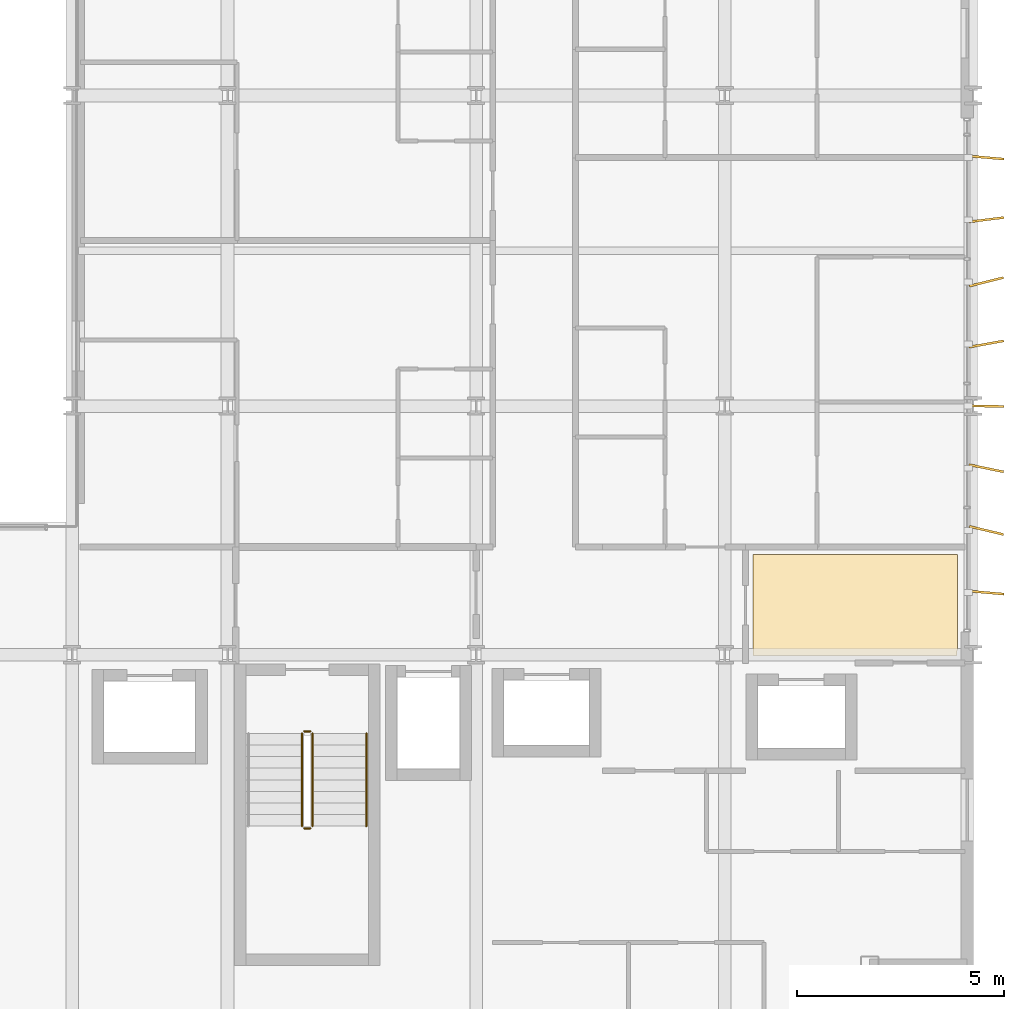
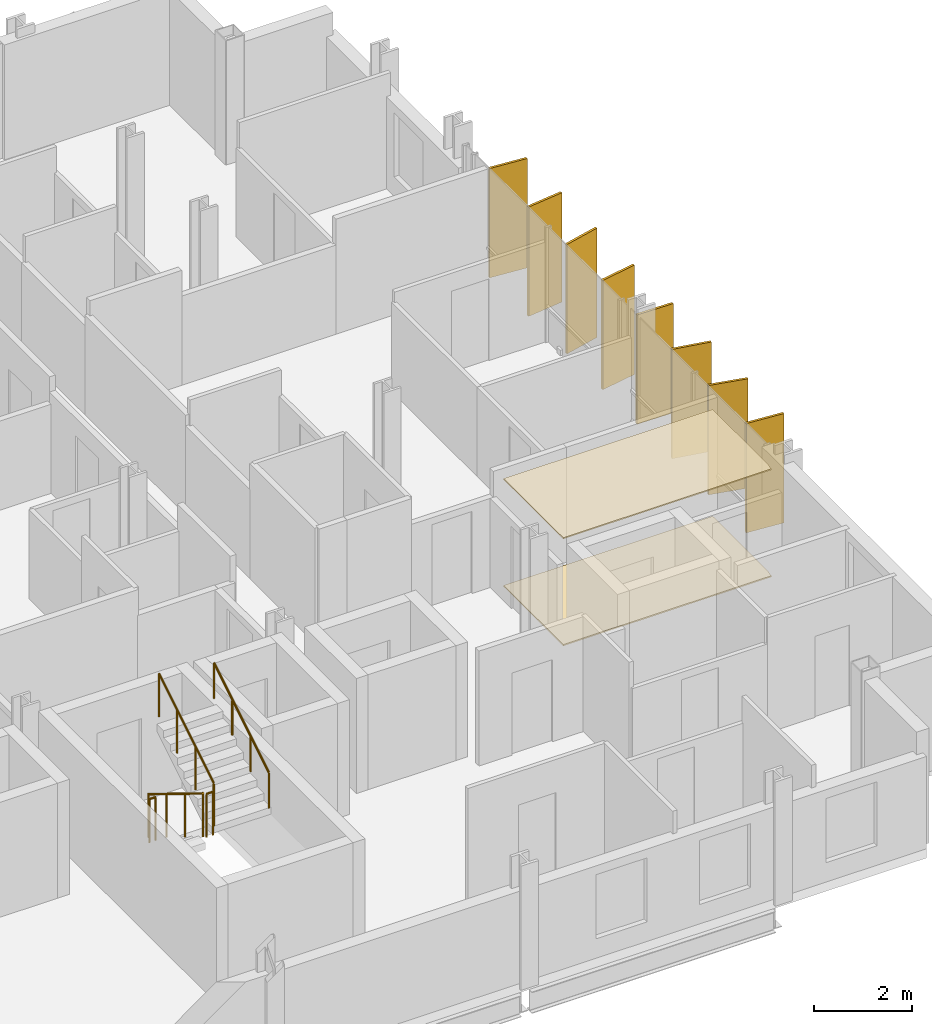
# One storey, part 37 of 38: 8 shading devices, 5 railings, 2 coverings.
"""IFC4 building model written with IfcOpenShell, lengths in metres."""

from ifc_helpers import new_model, si_unit, direction, frame, origin, origin_2d, place, context, subcontext, project, spatial, polyline, rectangle, circle, outline, extrude, material, layer, layer_set, type_object, element, save


model = new_model("IFC4")

# Units and contexts
model_context = context("Model", 3, precision=1e-05, world=origin(), true_north=direction((0.0, 1.0)))
body_context = subcontext(model_context, "Body", "Model", "MODEL_VIEW")
ifc_project = project(units=[si_unit("LENGTHUNIT", "METRE"), si_unit("AREAUNIT", "SQUARE_METRE"), si_unit("VOLUMEUNIT", "CUBIC_METRE"), si_unit("PLANEANGLEUNIT", "RADIAN"), si_unit("MASSUNIT", "GRAM", prefix="KILO")], contexts=[model_context])

# Site, building, storey
site_placement = place(None, origin())
site = spatial("IfcSite", under=ifc_project, at=site_placement, CompositionType="ELEMENT")
building_placement = place(site_placement, origin())
building = spatial("IfcBuilding", under=site, at=building_placement, Name="Brevholm Reach", CompositionType="ELEMENT")
storey_placement = place(building_placement, frame((0.0, 0.0, 65.199951171875)))
storey = spatial("IfcBuildingStorey", under=building, at=storey_placement, Name="L18", CompositionType="ELEMENT", Elevation=65.199951171875)

# Coverings
ifc_material_1 = material(Name="Moisture-Resistant Skimmed Gypsum Plasterboard Ceiling", Category="gypsum")
ifc_layer_1 = layer(ifc_material_1, 0.030029296875)
ifc_layer_set_1 = layer_set([ifc_layer_1], Name="Moisture-Resistant Skimmed Gypsum Plasterboard Ceiling")
covering_type_1 = type_object("IfcCoveringType", Name="COV-CLG-GYP", PredefinedType="CEILING", material=ifc_layer_set_1)
covering_1_placement = place(storey_placement, frame((0.0, 0.0, 2.670166015625)))
element("IfcCovering", 1, at=covering_1_placement, inside=storey, type_object=covering_type_1, Name="L18 Suspended Ceiling L18-34", PredefinedType="CEILING", context=body_context, shape_type="SweptSolid", body=[
    extrude(outline(polyline([(59.6201171875, 12.419921875), (59.6201171875, 10.123779296875), (59.6171875, 10.1162109375), (59.607666015625, 10.077880859375), (59.601806640625, 10.039306640625), (59.60009765625, 10.0), (59.60107421875, 9.97998046875), (54.68408203125, 9.97998046875), (54.68408203125, 12.419921875), (59.6201171875, 12.419921875)])), origin(), (0.0, 0.0, 1.0), 0.02978515625),
])
ifc_material_2 = material(Name="Honed Portland-Aggregate Resin Terrazzo Flooring", Category="concrete")
ifc_layer_2 = layer(ifc_material_2, 0.031982421875)
ifc_layer_set_2 = layer_set([ifc_layer_2], Name="Honed Portland-Aggregate Resin Terrazzo Flooring")
covering_type_2 = type_object("IfcCoveringType", Name="COV-FLR-TRZ", PredefinedType="FLOORING", material=ifc_layer_set_2)
covering_2_placement = place(storey_placement, origin())
element("IfcCovering", 2, at=covering_2_placement, inside=storey, type_object=covering_type_2, Name="L18 Floor Finish L18-34", PredefinedType="FLOORING", context=body_context, shape_type="SweptSolid", body=[
    extrude(outline(polyline([(59.6201171875, 12.419921875), (59.6201171875, 10.123779296875), (59.6171875, 10.1162109375), (59.607666015625, 10.077880859375), (59.601806640625, 10.039306640625), (59.60009765625, 10.0), (59.60107421875, 9.97998046875), (54.68408203125, 9.97998046875), (54.68408203125, 12.419921875), (59.6201171875, 12.419921875)])), origin(), (0.0, 0.0, 1.0), 0.031982421875),
])

# Railings
ifc_material_3 = material(Name="Brushed Stainless Steel EN 1.4401 Continuous Handrail", Category="steel")
railing_type_1 = type_object("IfcRailingType", Name="RAL-HND-950", PredefinedType="HANDRAIL", material=ifc_material_3)
railing_1_placement = place(storey_placement, frame((45.35009765625, 5.860107421875, 1.72216796875)))
element("IfcRailing", 3, at=railing_1_placement, inside=storey, type_object=railing_type_1, Name="L18 ST-2 stair handrail 2", PredefinedType="HANDRAIL", context=body_context, shape_type="SweptSolid", body=[
    extrude(circle(Radius=0.02392578125, at=origin_2d()), frame((0.0, 0.0, 0.8857421875), z_axis=(0.0, 0.851747552033, 0.523952390591), x_axis=(-1.0, 0.0, 0.0)), (0.0, 0.0, 1.0), 2.6298828125),
    extrude(circle(Radius=0.02099609375, at=origin_2d()), origin(), (0.0, 0.0, 1.0), 0.86181640625),
    extrude(circle(Radius=0.02099609375, at=origin_2d()), frame((0.0, 0.74658203125, 0.459228515625)), (0.0, 0.0, 1.0), 0.86181640625),
    extrude(circle(Radius=0.02099609375, at=origin_2d()), frame((0.0, 1.493408203125, 0.918701171875)), (0.0, 0.0, 1.0), 0.86181640625),
    extrude(circle(Radius=0.02099609375, at=origin_2d()), frame((0.0, 2.239990234375, 1.3779296875)), (0.0, 0.0, 1.0), 0.86181640625),
])
ifc_material_4 = material(Name="Painted Tubular Galvanised Steel S275JR Stair Guard", Category="steel")
railing_type_2 = type_object("IfcRailingType", Name="RAL-STG-1120", PredefinedType="BALUSTRADE", material=ifc_material_4)
railing_2_placement = place(storey_placement, frame((43.800048828125, 8.10009765625, 0.17236328125)))
element("IfcRailing", 4, at=railing_2_placement, inside=storey, type_object=railing_type_2, Name="L18 ST-2 stair guard 1", PredefinedType="BALUSTRADE", context=body_context, shape_type="SweptSolid", body=[
    extrude(circle(Radius=0.02392578125, at=origin_2d()), frame((0.0, 0.0, 1.076171875), z_axis=(0.0, -0.85178898068, 0.523885037382), x_axis=(1.0, 0.0, 0.0)), (0.0, 0.0, 1.0), 2.629638671875),
    extrude(circle(Radius=0.02099609375, at=origin_2d()), origin(), (0.0, 0.0, 1.0), 1.052001953125),
    extrude(circle(Radius=0.02099609375, at=origin_2d()), frame((0.0, -0.74658203125, 0.459228515625)), (0.0, 0.0, 1.0), 1.052001953125),
    extrude(circle(Radius=0.02099609375, at=origin_2d()), frame((0.0, -1.493408203125, 0.91845703125)), (0.0, 0.0, 1.0), 1.052001953125),
    extrude(circle(Radius=0.02099609375, at=origin_2d()), frame((0.0, -2.239990234375, 1.377685546875)), (0.0, 0.0, 1.0), 1.052001953125),
])
railing_3_placement = place(storey_placement, frame((43.85009765625, 5.81005859375, 1.550048828125)))
element("IfcRailing", 5, at=railing_3_placement, inside=storey, type_object=railing_type_2, Name="L18 ST-2 stair guard 2", PredefinedType="BALUSTRADE", context=body_context, shape_type="SweptSolid", body=[
    extrude(circle(Radius=0.02392578125, at=origin_2d()), frame((0.0, 0.0, 1.076171875), z_axis=(1.0, 0.0, 0.0), x_axis=(0.0, 1.0, 0.0)), (0.0, 0.0, 1.0), 0.14990234375),
    extrude(circle(Radius=0.02099609375, at=origin_2d()), origin(), (0.0, 0.0, 1.0), 1.052001953125),
    extrude(circle(Radius=0.02099609375, at=origin_2d()), frame((0.14990234375, 0.0, 0.0)), (0.0, 0.0, 1.0), 1.052001953125),
])
railing_4_placement = place(storey_placement, frame((44.050048828125, 5.860107421875, 1.72216796875)))
element("IfcRailing", 6, at=railing_4_placement, inside=storey, type_object=railing_type_2, Name="L18 ST-2 stair guard 3", PredefinedType="BALUSTRADE", context=body_context, shape_type="SweptSolid", body=[
    extrude(circle(Radius=0.02392578125, at=origin_2d()), frame((0.0, 0.0, 1.076171875), z_axis=(0.0, 0.851747552033, 0.523952390591), x_axis=(-1.0, 0.0, 0.0)), (0.0, 0.0, 1.0), 2.6298828125),
    extrude(circle(Radius=0.02099609375, at=origin_2d()), origin(), (0.0, 0.0, 1.0), 1.052001953125),
    extrude(circle(Radius=0.02099609375, at=origin_2d()), frame((0.0, 0.74658203125, 0.459228515625)), (0.0, 0.0, 1.0), 1.052001953125),
    extrude(circle(Radius=0.02099609375, at=origin_2d()), frame((0.0, 1.493408203125, 0.918701171875)), (0.0, 0.0, 1.0), 1.052001953125),
    extrude(circle(Radius=0.02099609375, at=origin_2d()), frame((0.0, 2.239990234375, 1.3779296875)), (0.0, 0.0, 1.0), 1.052001953125),
])
railing_5_placement = place(storey_placement, frame((43.85009765625, 8.14990234375, 0.0)))
element("IfcRailing", 7, at=railing_5_placement, inside=storey, type_object=railing_type_2, Name="L18 ST-2 stair guard 4", PredefinedType="BALUSTRADE", context=body_context, shape_type="SweptSolid", body=[
    extrude(circle(Radius=0.02392578125, at=origin_2d()), frame((0.0, 0.0, 1.076171875), z_axis=(1.0, 0.0, 0.0), x_axis=(0.0, 1.0, 0.0)), (0.0, 0.0, 1.0), 0.14990234375),
    extrude(circle(Radius=0.02099609375, at=origin_2d()), origin(), (0.0, 0.0, 1.0), 1.052001953125),
    extrude(circle(Radius=0.02099609375, at=origin_2d()), frame((0.14990234375, 0.0, 0.0)), (0.0, 0.0, 1.0), 1.052001953125),
])

# Shading devices
ifc_material_5 = material(Name="Perforated Champagne-Bronze Anodised Aluminium", Category="aluminium")
ifc_layer_3 = layer(ifc_material_5, 0.054931640625)
ifc_layer_set_3 = layer_set([ifc_layer_3], Name="Perforated Champagne-Bronze Anodised Aluminium")
shading_device_type = type_object("IfcShadingDeviceType", Name="SHD-FIN-850", PredefinedType="USERDEFINED", material=ifc_layer_set_3)
for number, where, z_axis, x_axis, name in (
    (8, (60.31494140625, 11.5, 0.070068359375), (0.0, 0.0, 1.0), (0.996162686932, -0.087520861312, 0.0), "L18 Perforated Solar Screen Fin 1"),
    (9, (60.31494140625, 13.0, 0.070068359375), (0.0, 0.0, 1.0), (0.972985805275, -0.23086494479, 0.0), "L18 Perforated Solar Screen Fin 2"),
    (10, (60.31494140625, 14.5, 0.070068359375), (0.0, 0.0, 1.0), (0.979490936341, -0.201488227014, 0.0), "L18 Perforated Solar Screen Fin 3"),
    (11, (60.31494140625, 16.0, 0.070068359375), (0.0, 0.0, 1.0), (0.999799977203, -0.020000139627, 0.0), "L18 Perforated Solar Screen Fin 4"),
    (12, (60.31494140625, 17.5, 0.070068359375), (0.0, 0.0, 1.0), (0.984214146843, 0.176981674626, 0.0), "L18 Perforated Solar Screen Fin 5"),
    (13, (60.31494140625, 19.0, 0.070068359375), (0.0, 0.0, 1.0), (0.97089231711, 0.239516405653, 0.0), "L18 Perforated Solar Screen Fin 6"),
    (14, (60.31494140625, 20.5, 0.070068359375), (0.0, 0.0, 1.0), (0.992359956628, 0.123376320586, 0.0), "L18 Perforated Solar Screen Fin 7"),
    (15, (60.31494140625, 22.0, 0.070068359375), (0.0, 0.0, 1.0), (0.996162686932, -0.087520861312, 0.0), "L18 Perforated Solar Screen Fin 8"),
):
    element("IfcShadingDevice", number, at=place(storey_placement, frame(where, z_axis=z_axis, x_axis=x_axis)), inside=storey, type_object=shading_device_type, Name=name, ObjectType="SCREEN", PredefinedType="USERDEFINED", context=body_context, shape_type="SweptSolid", body=[
        extrude(rectangle(XDim=0.85009765625, YDim=0.054931640625, at=origin_2d()), origin(), (0.0, 0.0, 1.0), 2.72998046875),
    ])

save(model, "model.ifc")
